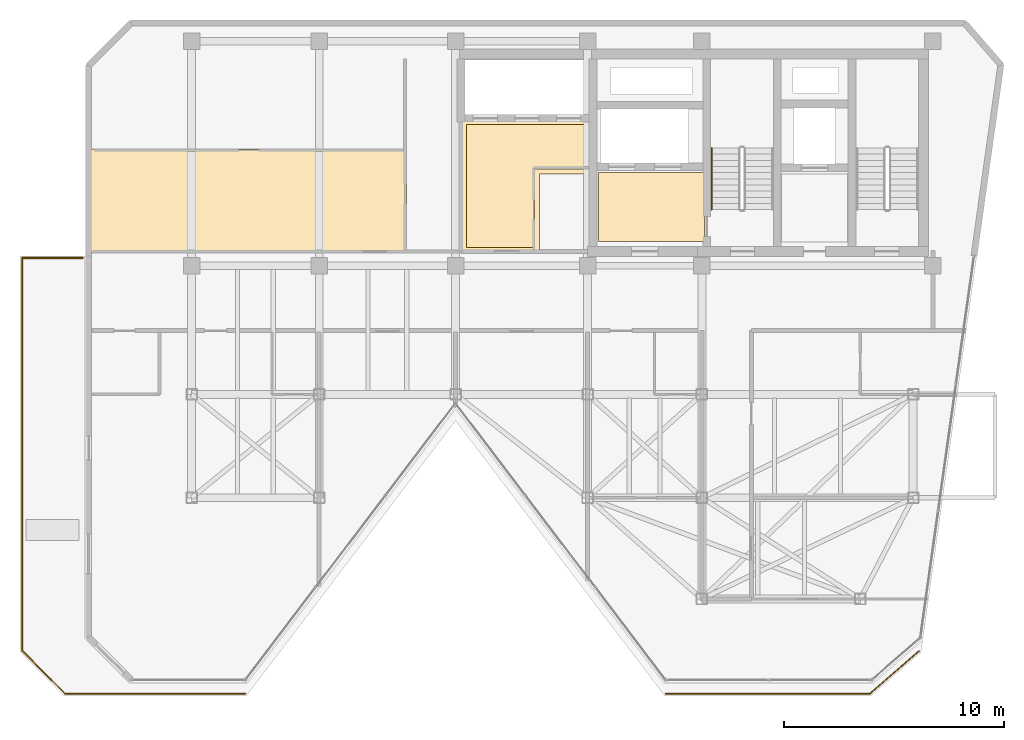
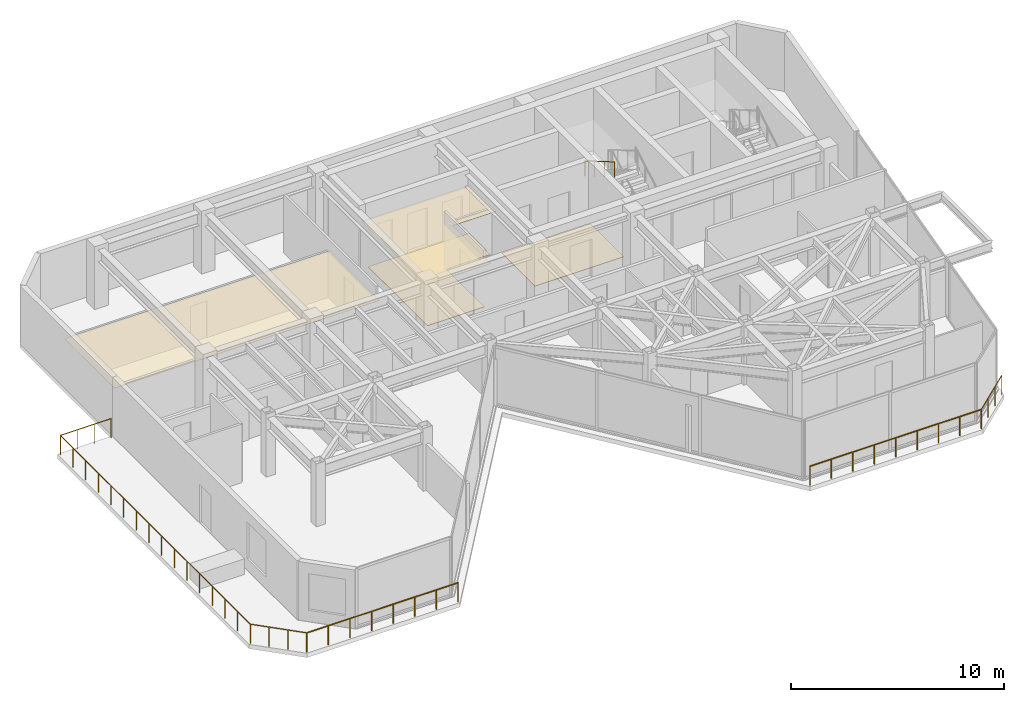
# One storey, part 16 of 17: 7 railings, 4 coverings.
"""IFC4 building model written with IfcOpenShell, lengths in metres."""

from ifc_helpers import new_model, si_unit, direction, frame, origin, origin_2d, place, context, subcontext, project, spatial, polyline, circle, outline, extrude, material, layer, layer_set, type_object, element, save


model = new_model("IFC4")

# Units and contexts
model_context = context("Model", 3, precision=1e-05, world=origin(), true_north=direction((0.0, 1.0)))
body_context = subcontext(model_context, "Body", "Model", "MODEL_VIEW")
ifc_project = project(units=[si_unit("LENGTHUNIT", "METRE"), si_unit("AREAUNIT", "SQUARE_METRE"), si_unit("VOLUMEUNIT", "CUBIC_METRE"), si_unit("PLANEANGLEUNIT", "RADIAN"), si_unit("MASSUNIT", "GRAM", prefix="KILO")], contexts=[model_context])

# Site, building, storey
site_placement = place(None, origin())
site = spatial("IfcSite", under=ifc_project, at=site_placement, CompositionType="ELEMENT")
building_placement = place(site_placement, origin())
building = spatial("IfcBuilding", under=site, at=building_placement, Name="Kravanh Interchange Tower", CompositionType="ELEMENT")
storey_placement = place(building_placement, frame((0.0, 0.0, 263.39990234375)))
storey = spatial("IfcBuildingStorey", under=building, at=storey_placement, Name="L64", CompositionType="ELEMENT", Elevation=263.39990234375)

# Coverings
ifc_material_1 = material(Name="Cementitious Terrazzo Tile")
ifc_layer_1 = layer(ifc_material_1, 0.030029296875)
ifc_layer_set_1 = layer_set([ifc_layer_1], Name="Honed Terrazzo Lobby Flooring 30mm")
covering_type_1 = type_object("IfcCoveringType", Name="Honed Terrazzo Lobby Flooring 30mm", PredefinedType="FLOORING", material=ifc_layer_set_1)
covering_1_placement = place(storey_placement, origin())
element("IfcCovering", 1, at=covering_1_placement, inside=storey, type_object=covering_type_1, Name="L64 Firefighting Lobby Floor Finish", PredefinedType="FLOORING", context=body_context, shape_type="SweptSolid", body=[
    extrude(outline(polyline([(56.1201171875, 38.4599609375), (51.300048828125, 38.4599609375), (51.300048828125, 41.580078125), (56.1201171875, 41.580078125), (56.1201171875, 38.4599609375)])), origin(), (0.0, 0.0, 1.0), 0.030029296875),
])
covering_2_placement = place(storey_placement, origin())
element("IfcCovering", 2, at=covering_2_placement, inside=storey, type_object=covering_type_1, Name="L64 High-Rise Lift Lobby Floor Finish", PredefinedType="FLOORING", context=body_context, shape_type="SweptSolid", body=[
    extrude(outline(polyline([(45.300048828125, 43.77001953125), (50.77001953125, 43.77001953125), (50.77001953125, 41.75), (48.389892578125, 41.75), (48.389892578125, 38.179931640625), (45.300048828125, 38.179931640625), (45.300048828125, 43.77001953125)])), origin(), (0.0, 0.0, 1.0), 0.030029296875),
])
ifc_material_2 = material(Name="Acoustic Mineral Fibre Tile on Aluminium Grid", Category="aluminium")
ifc_layer_2 = layer(ifc_material_2, 0.02490234375)
ifc_layer_set_2 = layer_set([ifc_layer_2], Name="Perforated Acoustic Mineral Ceiling 25mm")
covering_type_2 = type_object("IfcCoveringType", Name="Perforated Acoustic Mineral Ceiling 25mm", PredefinedType="CEILING", material=ifc_layer_set_2)
covering_3_placement = place(storey_placement, frame((0.0, 0.0, 2.550048828125)))
element("IfcCovering", 3, at=covering_3_placement, inside=storey, type_object=covering_type_2, Name="L64 High-Rise Lift Lobby Suspended Ceiling", PredefinedType="CEILING", context=body_context, shape_type="SweptSolid", body=[
    extrude(outline(polyline([(50.989990234375, 41.530029296875), (48.610107421875, 41.530029296875), (48.610107421875, 37.9599609375), (45.080078125, 37.9599609375), (45.080078125, 43.989990234375), (50.989990234375, 43.989990234375), (50.989990234375, 41.530029296875)])), origin(), (0.0, 0.0, 1.0), 0.025146484375),
])
covering_4_placement = place(storey_placement, frame((0.0, 0.0, 2.550048828125)))
element("IfcCovering", 4, at=covering_4_placement, inside=storey, type_object=covering_type_2, Name="L64 Executive Business Study Suspended Ceiling", PredefinedType="CEILING", context=body_context, shape_type="SweptSolid", body=[
    extrude(outline(polyline([(42.580078125, 37.9599609375), (28.179931640625, 37.9599609375), (28.179931640625, 42.659912109375), (42.580078125, 42.659912109375), (42.580078125, 37.9599609375)])), origin(), (0.0, 0.0, 1.0), 0.025146484375),
])

# Railings
ifc_material_3 = material(Name="Stainless Steel 316", Category="steel")
ifc_layer_3 = layer(ifc_material_3, 0.06005859375)
ifc_layer_set_3 = layer_set([ifc_layer_3], Name="Perimeter Balcony and Terrace Guardrail Stainless 316 1120mm")
railing_type_1 = type_object("IfcRailingType", Name="Perimeter Balcony and Terrace Guardrail Stainless 316 1120mm", PredefinedType="GUARDRAIL", material=ifc_layer_set_3)
railing_1_placement = place(storey_placement, frame((63.64794921875, 17.89990234375, 0.0)))
element("IfcRailing", 5, at=railing_1_placement, inside=storey, type_object=railing_type_1, Name="L64 Stepped Terrace Guardrail 1", PredefinedType="GUARDRAIL", context=body_context, shape_type="SweptSolid", body=[
    extrude(circle(Radius=0.02392578125, at=origin_2d()), frame((0.0, 0.0, 1.09619140625), z_axis=(-1.0, 0.0, 0.0), x_axis=(0.0, -1.0, 0.0)), (0.0, 0.0, 1.0), 9.29833984375),
    extrude(circle(Radius=0.02099609375, at=origin_2d()), origin(), (0.0, 0.0, 1.0), 1.072021484375),
    extrude(circle(Radius=0.02099609375, at=origin_2d()), frame((-1.162353515625, 0.0, 0.0)), (0.0, 0.0, 1.0), 1.072021484375),
    extrude(circle(Radius=0.02099609375, at=origin_2d()), frame((-2.32470703125, 0.0, 0.0)), (0.0, 0.0, 1.0), 1.072021484375),
    extrude(circle(Radius=0.02099609375, at=origin_2d()), frame((-3.48681640625, 0.0, 0.0)), (0.0, 0.0, 1.0), 1.072021484375),
    extrude(circle(Radius=0.02099609375, at=origin_2d()), frame((-4.649169921875, 0.0, 0.0)), (0.0, 0.0, 1.0), 1.072021484375),
    extrude(circle(Radius=0.02099609375, at=origin_2d()), frame((-5.8115234375, 0.0, 0.0)), (0.0, 0.0, 1.0), 1.072021484375),
    extrude(circle(Radius=0.02099609375, at=origin_2d()), frame((-6.9736328125, 0.0, 0.0)), (0.0, 0.0, 1.0), 1.072021484375),
    extrude(circle(Radius=0.02099609375, at=origin_2d()), frame((-8.135986328125, 0.0, 0.0)), (0.0, 0.0, 1.0), 1.072021484375),
    extrude(circle(Radius=0.02099609375, at=origin_2d()), frame((-9.29833984375, 0.0, 0.0)), (0.0, 0.0, 1.0), 1.072021484375),
])
railing_2_placement = place(storey_placement, frame((35.25048828125, 17.89990234375, 0.0)))
element("IfcRailing", 6, at=railing_2_placement, inside=storey, type_object=railing_type_1, Name="L64 Stepped Terrace Guardrail 4", PredefinedType="GUARDRAIL", context=body_context, shape_type="SweptSolid", body=[
    extrude(circle(Radius=0.02392578125, at=origin_2d()), frame((0.0, 0.0, 1.09619140625), z_axis=(-1.0, 0.0, 0.0), x_axis=(0.0, -1.0, 0.0)), (0.0, 0.0, 1.0), 8.208984375),
    extrude(circle(Radius=0.02099609375, at=origin_2d()), origin(), (0.0, 0.0, 1.0), 1.072021484375),
    extrude(circle(Radius=0.02099609375, at=origin_2d()), frame((-1.172607421875, 0.0, 0.0)), (0.0, 0.0, 1.0), 1.072021484375),
    extrude(circle(Radius=0.02099609375, at=origin_2d()), frame((-2.345458984375, 0.0, 0.0)), (0.0, 0.0, 1.0), 1.072021484375),
    extrude(circle(Radius=0.02099609375, at=origin_2d()), frame((-3.51806640625, 0.0, 0.0)), (0.0, 0.0, 1.0), 1.072021484375),
    extrude(circle(Radius=0.02099609375, at=origin_2d()), frame((-4.69091796875, 0.0, 0.0)), (0.0, 0.0, 1.0), 1.072021484375),
    extrude(circle(Radius=0.02099609375, at=origin_2d()), frame((-5.863525390625, 0.0, 0.0)), (0.0, 0.0, 1.0), 1.072021484375),
    extrude(circle(Radius=0.02099609375, at=origin_2d()), frame((-7.036376953125, 0.0, 0.0)), (0.0, 0.0, 1.0), 1.072021484375),
    extrude(circle(Radius=0.02099609375, at=origin_2d()), frame((-8.208984375, 0.0, 0.0)), (0.0, 0.0, 1.0), 1.072021484375),
])
railing_3_placement = place(storey_placement, frame((27.04150390625, 17.89990234375, 0.0)))
element("IfcRailing", 7, at=railing_3_placement, inside=storey, type_object=railing_type_1, Name="L64 Stepped Terrace Guardrail 5", PredefinedType="GUARDRAIL", context=body_context, shape_type="SweptSolid", body=[
    extrude(circle(Radius=0.02392578125, at=origin_2d()), frame((0.0, 0.0, 1.09619140625), z_axis=(-0.707106781187, 0.707106781187, 0.0), x_axis=(-0.707106781187, -0.707106781187, 0.0)), (0.0, 0.0, 1.0), 2.74560546875),
    extrude(circle(Radius=0.02099609375, at=origin_2d()), origin(), (0.0, 0.0, 1.0), 1.072021484375),
    extrude(circle(Radius=0.02099609375, at=origin_2d()), frame((-0.647216796875, 0.647216796875, 0.0)), (0.0, 0.0, 1.0), 1.072021484375),
    extrude(circle(Radius=0.02099609375, at=origin_2d()), frame((-1.294189453125, 1.294189453125, 0.0)), (0.0, 0.0, 1.0), 1.072021484375),
    extrude(circle(Radius=0.02099609375, at=origin_2d()), frame((-1.94140625, 1.94140625, 0.0)), (0.0, 0.0, 1.0), 1.072021484375),
])
railing_4_placement = place(storey_placement, frame((25.10009765625, 19.84130859375, 0.0)))
element("IfcRailing", 8, at=railing_4_placement, inside=storey, type_object=railing_type_1, Name="L64 Stepped Terrace Guardrail 6", PredefinedType="GUARDRAIL", context=body_context, shape_type="SweptSolid", body=[
    extrude(circle(Radius=0.02392578125, at=origin_2d()), frame((0.0, 0.0, 1.09619140625), z_axis=(0.0, 1.0, 0.0), x_axis=(-1.0, 0.0, 0.0)), (0.0, 0.0, 1.0), 17.858642578125),
    extrude(circle(Radius=0.02099609375, at=origin_2d()), origin(), (0.0, 0.0, 1.0), 1.072021484375),
    extrude(circle(Radius=0.02099609375, at=origin_2d()), frame((0.0, 1.190673828125, 0.0)), (0.0, 0.0, 1.0), 1.072021484375),
    extrude(circle(Radius=0.02099609375, at=origin_2d()), frame((0.0, 2.381103515625, 0.0)), (0.0, 0.0, 1.0), 1.072021484375),
    extrude(circle(Radius=0.02099609375, at=origin_2d()), frame((0.0, 3.57177734375, 0.0)), (0.0, 0.0, 1.0), 1.072021484375),
    extrude(circle(Radius=0.02099609375, at=origin_2d()), frame((0.0, 4.76220703125, 0.0)), (0.0, 0.0, 1.0), 1.072021484375),
    extrude(circle(Radius=0.02099609375, at=origin_2d()), frame((0.0, 5.952880859375, 0.0)), (0.0, 0.0, 1.0), 1.072021484375),
    extrude(circle(Radius=0.02099609375, at=origin_2d()), frame((0.0, 7.1435546875, 0.0)), (0.0, 0.0, 1.0), 1.072021484375),
    extrude(circle(Radius=0.02099609375, at=origin_2d()), frame((0.0, 8.333984375, 0.0)), (0.0, 0.0, 1.0), 1.072021484375),
    extrude(circle(Radius=0.02099609375, at=origin_2d()), frame((0.0, 9.524658203125, 0.0)), (0.0, 0.0, 1.0), 1.072021484375),
    extrude(circle(Radius=0.02099609375, at=origin_2d()), frame((0.0, 10.715087890625, 0.0)), (0.0, 0.0, 1.0), 1.072021484375),
    extrude(circle(Radius=0.02099609375, at=origin_2d()), frame((0.0, 11.90576171875, 0.0)), (0.0, 0.0, 1.0), 1.072021484375),
    extrude(circle(Radius=0.02099609375, at=origin_2d()), frame((0.0, 13.096435546875, 0.0)), (0.0, 0.0, 1.0), 1.072021484375),
    extrude(circle(Radius=0.02099609375, at=origin_2d()), frame((0.0, 14.286865234375, 0.0)), (0.0, 0.0, 1.0), 1.072021484375),
    extrude(circle(Radius=0.02099609375, at=origin_2d()), frame((0.0, 15.4775390625, 0.0)), (0.0, 0.0, 1.0), 1.072021484375),
    extrude(circle(Radius=0.02099609375, at=origin_2d()), frame((0.0, 16.66796875, 0.0)), (0.0, 0.0, 1.0), 1.072021484375),
    extrude(circle(Radius=0.02099609375, at=origin_2d()), frame((0.0, 17.858642578125, 0.0)), (0.0, 0.0, 1.0), 1.072021484375),
])
railing_5_placement = place(storey_placement, frame((25.10009765625, 37.699951171875, 0.0)))
element("IfcRailing", 9, at=railing_5_placement, inside=storey, type_object=railing_type_1, Name="L64 Stepped Terrace Guardrail 7", PredefinedType="GUARDRAIL", context=body_context, shape_type="SweptSolid", body=[
    extrude(circle(Radius=0.02392578125, at=origin_2d()), frame((0.0, 0.0, 1.09619140625), z_axis=(1.0, 0.0, 0.0), x_axis=(0.0, 1.0, 0.0)), (0.0, 0.0, 1.0), 2.760009765625),
    extrude(circle(Radius=0.02099609375, at=origin_2d()), origin(), (0.0, 0.0, 1.0), 1.072021484375),
    extrude(circle(Radius=0.02099609375, at=origin_2d()), frame((0.919921875, 0.0, 0.0)), (0.0, 0.0, 1.0), 1.072021484375),
    extrude(circle(Radius=0.02099609375, at=origin_2d()), frame((1.840087890625, 0.0, 0.0)), (0.0, 0.0, 1.0), 1.072021484375),
    extrude(circle(Radius=0.02099609375, at=origin_2d()), frame((2.760009765625, 0.0, 0.0)), (0.0, 0.0, 1.0), 1.072021484375),
])
railing_6_placement = place(storey_placement, frame((65.869873046875, 19.831298828125, 0.0)))
element("IfcRailing", 10, at=railing_6_placement, inside=storey, type_object=railing_type_1, Name="L64 Stepped Terrace Guardrail 16", PredefinedType="GUARDRAIL", context=body_context, shape_type="SweptSolid", body=[
    extrude(circle(Radius=0.02392578125, at=origin_2d()), frame((0.0, 0.0, 1.09619140625), z_axis=(-0.754725125489, -0.65604114578, 0.0), x_axis=(0.65604114578, -0.754725125489, 0.0)), (0.0, 0.0, 1.0), 2.944091796875),
    extrude(circle(Radius=0.02099609375, at=origin_2d()), origin(), (0.0, 0.0, 1.0), 1.072021484375),
    extrude(circle(Radius=0.02099609375, at=origin_2d()), frame((-0.74072265625, -0.643798828125, 0.0)), (0.0, 0.0, 1.0), 1.072021484375),
    extrude(circle(Radius=0.02099609375, at=origin_2d()), frame((-1.481201171875, -1.28759765625, 0.0)), (0.0, 0.0, 1.0), 1.072021484375),
    extrude(circle(Radius=0.02099609375, at=origin_2d()), frame((-2.221923828125, -1.931396484375, 0.0)), (0.0, 0.0, 1.0), 1.072021484375),
])
ifc_material_4 = material(Name="Stainless Steel 304", Category="steel")
ifc_layer_4 = layer(ifc_material_4, 0.044921875)
ifc_layer_set_4 = layer_set([ifc_layer_4], Name="Tubular Stair Handrail Stainless 304 900mm")
railing_type_2 = type_object("IfcRailingType", Name="Tubular Stair Handrail Stainless 304 900mm", PredefinedType="HANDRAIL", material=ifc_layer_set_4)
railing_7_placement = place(storey_placement, frame((56.449951171875, 42.699951171875, 1.963623046875)))
element("IfcRailing", 11, at=railing_7_placement, inside=storey, type_object=railing_type_2, Name="L64 ST2 stair handrail 2", PredefinedType="HANDRAIL", context=body_context, shape_type="SweptSolid", body=[
    extrude(circle(Radius=0.02392578125, at=origin_2d()), frame((0.0, 0.0, 0.8759765625), z_axis=(0.0, -0.863360870873, 0.504586966384), x_axis=(1.0, 0.0, 0.0)), (0.0, 0.0, 1.0), 3.2431640625),
    extrude(circle(Radius=0.02099609375, at=origin_2d()), origin(), (0.0, 0.0, 1.0), 0.851806640625),
    extrude(circle(Radius=0.02099609375, at=origin_2d()), frame((0.0, -0.933349609375, 0.54541015625)), (0.0, 0.0, 1.0), 0.851806640625),
    extrude(circle(Radius=0.02099609375, at=origin_2d()), frame((0.0, -1.86669921875, 1.091064453125)), (0.0, 0.0, 1.0), 0.851806640625),
    extrude(circle(Radius=0.02099609375, at=origin_2d()), frame((0.0, -2.800048828125, 1.636474609375)), (0.0, 0.0, 1.0), 0.851806640625),
])

save(model, "model.ifc")
